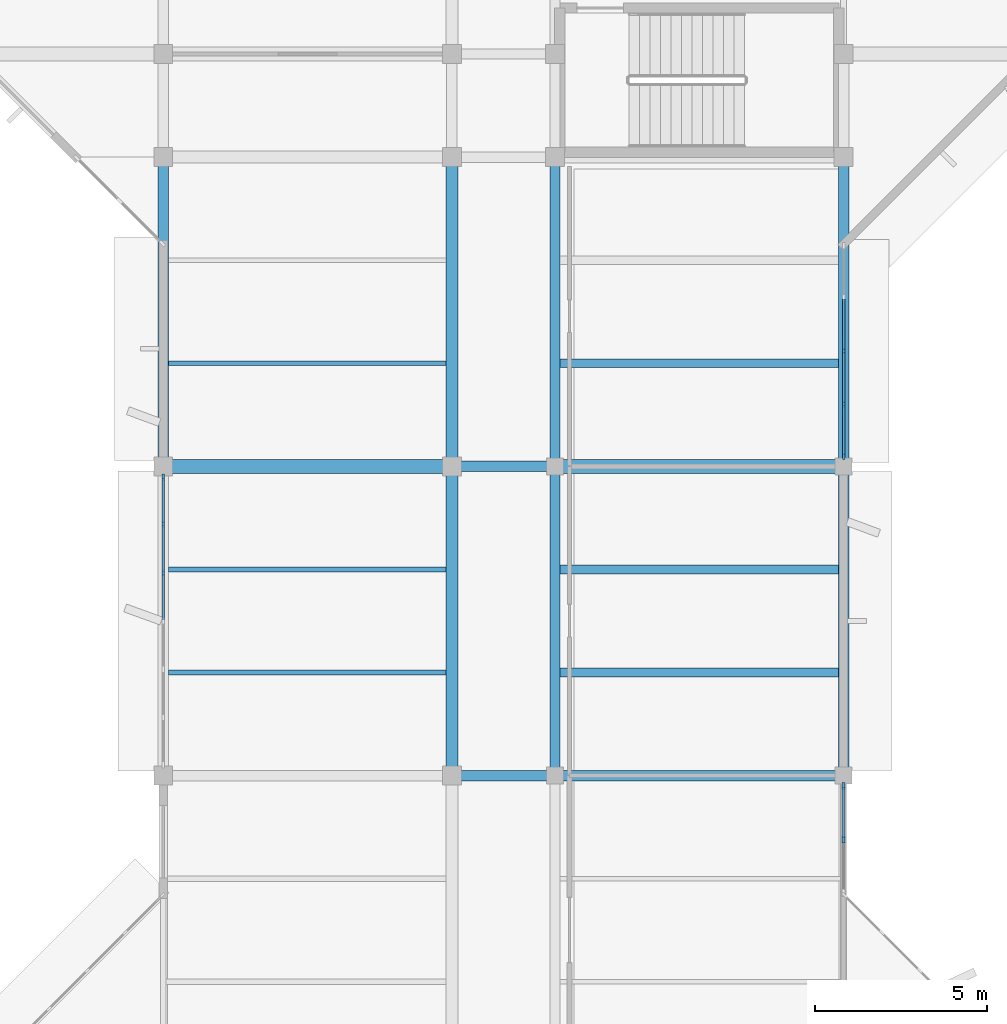
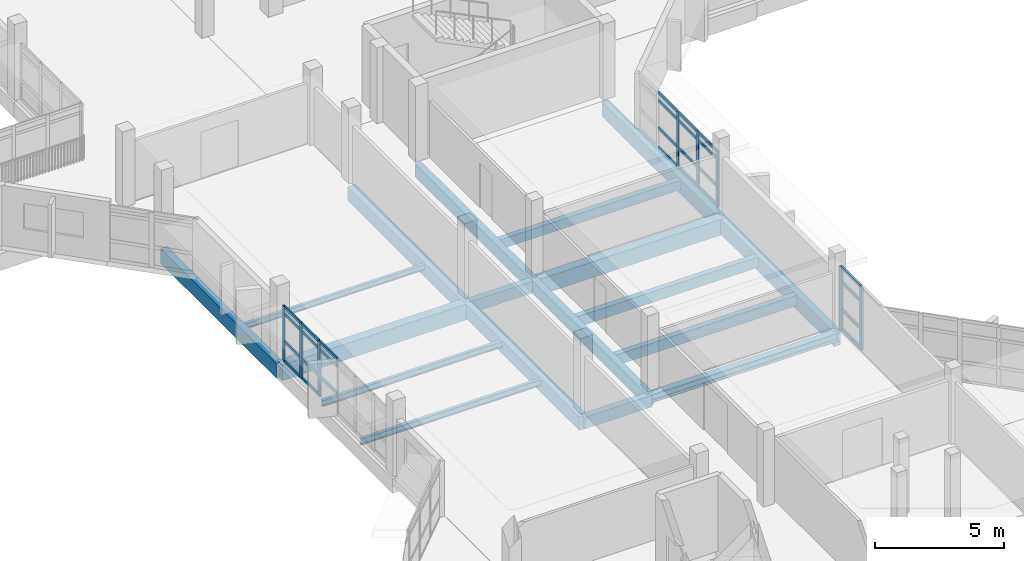
# One storey, part 23 of 92: 35 members, 18 beams, 3 elements without a shape of their own.
"""IFC4 building model written with IfcOpenShell, lengths in metres."""

from ifc_helpers import new_model, si_unit, direction, frame, origin, origin_2d, place, context, subcontext, project, spatial, rectangle, i_section, extrude, material, material_profile, profile_set, type_object, element, aggregate, save


model = new_model("IFC4")

# Units and contexts
model_context = context("Model", 3, precision=1e-05, world=origin(), true_north=direction((0.0, 1.0)))
body_context = subcontext(model_context, "Body", "Model", "MODEL_VIEW")
ifc_project = project(units=[si_unit("LENGTHUNIT", "METRE"), si_unit("AREAUNIT", "SQUARE_METRE"), si_unit("VOLUMEUNIT", "CUBIC_METRE"), si_unit("PLANEANGLEUNIT", "RADIAN"), si_unit("MASSUNIT", "GRAM", prefix="KILO")], contexts=[model_context])

# Site, building, storey
site_placement = place(None, origin())
site = spatial("IfcSite", under=ifc_project, at=site_placement, CompositionType="ELEMENT")
building_placement = place(site_placement, origin())
building = spatial("IfcBuilding", under=site, at=building_placement, Name="Vanh Quang Courtyard School", CompositionType="ELEMENT")
storey_placement = place(building_placement, frame((0.0, 0.0, 7.800048828125)))
storey = spatial("IfcBuildingStorey", under=building, at=storey_placement, Name="L02", CompositionType="ELEMENT", Elevation=7.800048828125)

# Beams
ifc_material_1 = material(Name="Concrete C35/45", Category="concrete")
ifc_material_profile_1 = material_profile(ifc_material_1, rectangle(XDim=0.300048828125, YDim=0.550048828125, at=origin_2d()), Name="RC-BM 300x550")
ifc_profile_set_1 = profile_set([ifc_material_profile_1], Name="Concrete C35/45")
beam_type_1 = type_object("IfcBeamType", Name="BM-RC-300x550", PredefinedType="BEAM", material=ifc_profile_set_1)
for number, where, z_axis, x_axis, name in (
    (1, (74.39990234375, 50.39990234375, -0.574951171875), (1.0, 0.0, 0.0), (0.0, 1.0, 0.0), "Beam B-07 (L02)"),
    (2, (74.39990234375, 59.39990234375, -0.574951171875), (1.0, 0.0, 0.0), (0.0, 1.0, 0.0), "Beam B-07 (L02)"),
):
    element("IfcBeam", number, at=place(storey_placement, frame(where, z_axis=z_axis, x_axis=x_axis)), inside=storey, type_object=beam_type_1, Name=name, PredefinedType="BEAM", context=body_context, shape_type="SweptSolid", body=[
        extrude(rectangle(XDim=0.300048828125, YDim=0.550048828125, at=origin_2d()), origin(), (0.0, 0.0, 1.0), 3.0),
    ])
ifc_material_profile_2 = material_profile(ifc_material_1, rectangle(XDim=0.300048828125, YDim=0.60009765625, at=origin_2d()), Name="RC-BM 300x600")
ifc_profile_set_2 = profile_set([ifc_material_profile_2], Name="Concrete C35/45")
beam_type_2 = type_object("IfcBeamType", Name="BM-RC-300x600", PredefinedType="BEAM", material=ifc_profile_set_2)
for number, where, z_axis, x_axis, name in (
    (3, (77.39990234375, 50.39990234375, -0.580078125), (0.0, 1.0, 0.0), (-1.0, 0.0, 0.0), "Beam B-06 (L02)"),
    (4, (77.39990234375, 59.39990234375, -0.580078125), (0.0, 1.0, 0.0), (-1.0, 0.0, 0.0), "Beam B-06 (L02)"),
):
    element("IfcBeam", number, at=place(storey_placement, frame(where, z_axis=z_axis, x_axis=x_axis)), inside=storey, type_object=beam_type_2, Name=name, PredefinedType="BEAM", context=body_context, shape_type="SweptSolid", body=[
        extrude(rectangle(XDim=0.300048828125, YDim=0.60009765625, at=origin_2d()), origin(), (0.0, 0.0, 1.0), 9.0),
    ])
ifc_material_profile_3 = material_profile(ifc_material_1, rectangle(XDim=0.35009765625, YDim=0.64990234375, at=origin_2d()), Name="RC-BM 350x650")
ifc_profile_set_3 = profile_set([ifc_material_profile_3], Name="Concrete C35/45")
beam_type_3 = type_object("IfcBeamType", Name="BM-RC-350x650", PredefinedType="BEAM", material=ifc_profile_set_3)
for number, where, z_axis, x_axis, name in (
    (5, (74.39990234375, 50.39990234375, -0.625), (0.0, 1.0, 0.0), (-1.0, 0.0, 0.0), "Beam B-05 (L02)"),
    (6, (74.39990234375, 59.39990234375, -0.625), (0.0, 1.0, 0.0), (-1.0, 0.0, 0.0), "Beam B-05 (L02)"),
):
    element("IfcBeam", number, at=place(storey_placement, frame(where, z_axis=z_axis, x_axis=x_axis)), inside=storey, type_object=beam_type_3, Name=name, PredefinedType="BEAM", context=body_context, shape_type="SweptSolid", body=[
        extrude(rectangle(XDim=0.35009765625, YDim=0.64990234375, at=origin_2d()), origin(), (0.0, 0.0, 1.0), 9.0),
    ])
ifc_material_profile_4 = material_profile(ifc_material_1, rectangle(XDim=0.39990234375, YDim=0.75, at=origin_2d()), Name="RC-BM 400x750")
ifc_profile_set_4 = profile_set([ifc_material_profile_4], Name="Concrete C35/45")
beam_type_4 = type_object("IfcBeamType", Name="BM-RC-400x750", PredefinedType="BEAM", material=ifc_profile_set_4)
beam_1_placement = place(storey_placement, frame((66.0, 59.39990234375, -0.675048828125), z_axis=(1.0, 0.0, 0.0), x_axis=(0.0, 1.0, 0.0)))
element("IfcBeam", 7, at=beam_1_placement, inside=storey, type_object=beam_type_4, Name="Beam B-03 (L02)", PredefinedType="BEAM", context=body_context, shape_type="SweptSolid", body=[
    extrude(rectangle(XDim=0.39990234375, YDim=0.75, at=origin_2d()), origin(), (0.0, 0.0, 1.0), 8.39990234375),
])
beam_2_placement = place(storey_placement, frame((77.39990234375, 59.39990234375, -0.655029296875), z_axis=(1.0, 0.0, 0.0), x_axis=(0.0, 1.0, 0.0)))
element("IfcBeam", 8, at=beam_2_placement, inside=storey, type_object=beam_type_4, Name="Beam B-03 (L02)", PredefinedType="BEAM", context=body_context, shape_type="SweptSolid", body=[
    extrude(rectangle(XDim=0.39990234375, YDim=0.75, at=origin_2d()), origin(), (0.0, 0.0, 1.0), 8.400146484375),
])
ifc_material_profile_5 = material_profile(ifc_material_1, rectangle(XDim=0.300048828125, YDim=0.699951171875, at=origin_2d()), Name="RC-SP 300x700")
ifc_profile_set_5 = profile_set([ifc_material_profile_5], Name="Concrete C35/45")
beam_type_5 = type_object("IfcBeamType", Name="BM-SP-300x700", PredefinedType="SPANDREL", material=ifc_profile_set_5)
for number, where, z_axis, x_axis, name in (
    (9, (66.0, 59.39990234375, -0.650146484375), (0.0, 1.0, 0.0), (-1.0, 0.0, 0.0), "Beam BS-01 (L02)"),
    (10, (85.800048828125, 50.39990234375, -0.630126953125), (0.0, 1.0, 0.0), (-1.0, 0.0, 0.0), "Beam BS-01 (L02)"),
    (11, (85.800048828125, 59.39990234375, -0.630126953125), (0.0, 1.0, 0.0), (-1.0, 0.0, 0.0), "Beam BS-01 (L02)"),
):
    element("IfcBeam", number, at=place(storey_placement, frame(where, z_axis=z_axis, x_axis=x_axis)), inside=storey, type_object=beam_type_5, Name=name, PredefinedType="SPANDREL", context=body_context, shape_type="SweptSolid", body=[
        extrude(rectangle(XDim=0.300048828125, YDim=0.699951171875, at=origin_2d()), origin(), (0.0, 0.0, 1.0), 9.0),
    ])
ifc_material_2 = material(Name="Structural steel EN 10025-2 S355J2", Category="steel")
ifc_material_profile_6 = material_profile(ifc_material_2, i_section(OverallWidth=0.300048828125, OverallDepth=0.389892578125, WebThickness=0.010986328125, FlangeThickness=0.01904296875, FilletRadius=0.027099609375, at=origin_2d()), Name="HEA 400")
ifc_profile_set_6 = profile_set([ifc_material_profile_6], Name="Structural steel EN 10025-2 S355J2")
beam_type_6 = type_object("IfcBeamType", Name="BM-STL-HEA400", PredefinedType="BEAM", material=ifc_profile_set_6)
beam_3_placement = place(storey_placement, frame((77.39990234375, 50.39990234375, -0.47509765625), z_axis=(1.0, 0.0, 0.0), x_axis=(0.0, 1.0, 0.0)))
element("IfcBeam", 12, at=beam_3_placement, inside=storey, type_object=beam_type_6, Name="Beam SB-08 (L02)", PredefinedType="BEAM", context=body_context, shape_type="SweptSolid", body=[
    extrude(i_section(OverallWidth=0.300048828125, OverallDepth=0.389892578125, WebThickness=0.010986328125, FlangeThickness=0.01904296875, FilletRadius=0.027099609375, at=origin_2d()), origin(), (0.0, 0.0, 1.0), 8.400146484375),
])

# Curtain wall, members
ifc_material_3 = material(Name="Thermally broken aluminium unitised curtain wall", Category="aluminium")
curtain_wall_type_1 = type_object("IfcCurtainWallType", Name="CW-SYS-48", PredefinedType="NOTDEFINED", material=ifc_material_3)
curtain_wall_1_placement = place(storey_placement, origin())
curtain_wall_1 = element("IfcCurtainWall", 13, at=curtain_wall_1_placement, inside=storey, type_object=curtain_wall_type_1, Name="Curtain Wall CW-48 (L02)", PredefinedType="NOTDEFINED")
ifc_material_4 = material(Name="Anodised aluminium 6063-T6", Category="aluminium")
ifc_material_profile_7 = material_profile(ifc_material_4, rectangle(XDim=0.070068359375, YDim=0.179931640625, at=origin_2d()), Name="ALU-MUL 70x180")
ifc_profile_set_7 = profile_set([ifc_material_profile_7], Name="Anodised aluminium 6063-T6")
member_type_1 = type_object("IfcMemberType", Name="CW-MUL-70x180", PredefinedType="MULLION", material=ifc_profile_set_7)
member_1_placement = place(storey_placement, frame((66.0, 56.3056640625, 0.0), z_axis=(0.0, 0.0, 1.0), x_axis=(-1.0, 0.0, 0.0)))
member_1 = element("IfcMember", 14, at=member_1_placement, type_object=member_type_1, Name="CW-48 mullion 5", PredefinedType="MULLION", context=body_context, shape_type="SweptSolid", body=[
    extrude(rectangle(XDim=0.070068359375, YDim=0.179931640625, at=origin_2d()), origin(), (0.0, 0.0, 1.0), 2.599853515625),
])
member_2_placement = place(storey_placement, frame((66.0, 57.71142578125, 0.0), z_axis=(0.0, 0.0, 1.0), x_axis=(-1.0, 0.0, 0.0)))
member_2 = element("IfcMember", 15, at=member_2_placement, type_object=member_type_1, Name="CW-48 mullion 6", PredefinedType="MULLION", context=body_context, shape_type="SweptSolid", body=[
    extrude(rectangle(XDim=0.070068359375, YDim=0.179931640625, at=origin_2d()), origin(), (0.0, 0.0, 1.0), 2.599853515625),
])
member_3_placement = place(storey_placement, frame((66.0, 59.08203125, 0.0), z_axis=(0.0, 0.0, 1.0), x_axis=(-1.0, 0.0, 0.0)))
member_3 = element("IfcMember", 16, at=member_3_placement, type_object=member_type_1, Name="CW-48 mullion 7", PredefinedType="MULLION", context=body_context, shape_type="SweptSolid", body=[
    extrude(rectangle(XDim=0.070068359375, YDim=0.179931640625, at=origin_2d()), origin(), (0.0, 0.0, 1.0), 2.599853515625),
])

curtain_wall_type_2 = type_object("IfcCurtainWallType", Name="CW-SYS-44", PredefinedType="NOTDEFINED", material=ifc_material_3)
curtain_wall_2_placement = place(storey_placement, origin())
curtain_wall_2 = element("IfcCurtainWall", 17, at=curtain_wall_2_placement, inside=storey, type_object=curtain_wall_type_2, Name="Curtain Wall CW-44 (L02)", PredefinedType="NOTDEFINED")
member_4_placement = place(storey_placement, frame((85.800048828125, 62.757080078125, 0.0), z_axis=(0.0, 0.0, 1.0), x_axis=(1.0, 0.0, 0.0)))
member_4 = element("IfcMember", 18, at=member_4_placement, type_object=member_type_1, Name="CW-44 mullion 3", PredefinedType="MULLION", context=body_context, shape_type="SweptSolid", body=[
    extrude(rectangle(XDim=0.070068359375, YDim=0.179931640625, at=origin_2d()), origin(), (0.0, 0.0, 1.0), 2.639892578125),
])
member_5_placement = place(storey_placement, frame((85.800048828125, 61.20751953125, 0.0), z_axis=(0.0, 0.0, 1.0), x_axis=(1.0, 0.0, 0.0)))
member_5 = element("IfcMember", 19, at=member_5_placement, type_object=member_type_1, Name="CW-44 mullion 4", PredefinedType="MULLION", context=body_context, shape_type="SweptSolid", body=[
    extrude(rectangle(XDim=0.070068359375, YDim=0.179931640625, at=origin_2d()), origin(), (0.0, 0.0, 1.0), 2.639892578125),
])
member_6_placement = place(storey_placement, frame((85.800048828125, 59.693115234375, 0.0), z_axis=(0.0, 0.0, 1.0), x_axis=(1.0, 0.0, 0.0)))
member_6 = element("IfcMember", 20, at=member_6_placement, type_object=member_type_1, Name="CW-44 mullion 5", PredefinedType="MULLION", context=body_context, shape_type="SweptSolid", body=[
    extrude(rectangle(XDim=0.070068359375, YDim=0.179931640625, at=origin_2d()), origin(), (0.0, 0.0, 1.0), 2.639892578125),
])

curtain_wall_type_3 = type_object("IfcCurtainWallType", Name="CW-SYS-53", PredefinedType="NOTDEFINED", material=ifc_material_3)
curtain_wall_3_placement = place(storey_placement, origin())
curtain_wall_3 = element("IfcCurtainWall", 21, at=curtain_wall_3_placement, inside=storey, type_object=curtain_wall_type_3, Name="Curtain Wall CW-53 (L02)", PredefinedType="NOTDEFINED")
ifc_material_profile_8 = material_profile(ifc_material_4, rectangle(XDim=0.080078125, YDim=0.199951171875, at=origin_2d()), Name="ALU-MUL 80x200")
ifc_profile_set_8 = profile_set([ifc_material_profile_8], Name="Anodised aluminium 6063-T6")
member_type_2 = type_object("IfcMemberType", Name="CW-MUL-80x200", PredefinedType="MULLION", material=ifc_profile_set_8)
member_7_placement = place(storey_placement, frame((85.800048828125, 50.10205078125, 0.0), z_axis=(0.0, 0.0, 1.0), x_axis=(1.0, 0.0, 0.0)))
member_7 = element("IfcMember", 22, at=member_7_placement, type_object=member_type_2, Name="CW-53 mullion 1", PredefinedType="MULLION", context=body_context, shape_type="SweptSolid", body=[
    extrude(rectangle(XDim=0.080078125, YDim=0.199951171875, at=origin_2d()), origin(), (0.0, 0.0, 1.0), 2.97998046875),
])
member_8_placement = place(storey_placement, frame((85.800048828125, 48.54296875, 0.0), z_axis=(0.0, 0.0, 1.0), x_axis=(1.0, 0.0, 0.0)))
member_8 = element("IfcMember", 23, at=member_8_placement, type_object=member_type_2, Name="CW-53 mullion 2", PredefinedType="MULLION", context=body_context, shape_type="SweptSolid", body=[
    extrude(rectangle(XDim=0.080078125, YDim=0.199951171875, at=origin_2d()), origin(), (0.0, 0.0, 1.0), 2.97998046875),
])

# Member
ifc_material_profile_9 = material_profile(ifc_material_4, rectangle(XDim=0.070068359375, YDim=0.139892578125, at=origin_2d()), Name="ALU-TRN 70x140")
ifc_profile_set_9 = profile_set([ifc_material_profile_9], Name="Anodised aluminium 6063-T6")
member_type_3 = type_object("IfcMemberType", Name="CW-TRN-70x140", PredefinedType="USERDEFINED", material=ifc_profile_set_9)
member_9_placement = place(storey_placement, frame((66.0, 54.93505859375, 0.949951171875), z_axis=(0.0, 1.0, 0.0), x_axis=(-1.0, 0.0, 0.0)))
member_9 = element("IfcMember", 24, at=member_9_placement, type_object=member_type_3, Name="CW-48 transom 4.2", ObjectType="TRANSOM", PredefinedType="USERDEFINED", context=body_context, shape_type="SweptSolid", body=[
    extrude(rectangle(XDim=0.070068359375, YDim=0.139892578125, at=origin_2d()), origin(), (0.0, 0.0, 1.0), 1.335693359375),
])

member_10_placement = place(storey_placement, frame((66.0, 54.93505859375, 2.25), z_axis=(0.0, 1.0, 0.0), x_axis=(-1.0, 0.0, 0.0)))
member_10 = element("IfcMember", 25, at=member_10_placement, type_object=member_type_3, Name="CW-48 transom 4.3", ObjectType="TRANSOM", PredefinedType="USERDEFINED", context=body_context, shape_type="SweptSolid", body=[
    extrude(rectangle(XDim=0.070068359375, YDim=0.139892578125, at=origin_2d()), origin(), (0.0, 0.0, 1.0), 1.335693359375),
])

member_11_placement = place(storey_placement, frame((66.0, 54.93505859375, 2.56494140625), z_axis=(0.0, 1.0, 0.0), x_axis=(-1.0, 0.0, 0.0)))
member_11 = element("IfcMember", 26, at=member_11_placement, type_object=member_type_3, Name="CW-48 transom 4.4", ObjectType="TRANSOM", PredefinedType="USERDEFINED", context=body_context, shape_type="SweptSolid", body=[
    extrude(rectangle(XDim=0.070068359375, YDim=0.139892578125, at=origin_2d()), origin(), (0.0, 0.0, 1.0), 1.335693359375),
])

member_12_placement = place(storey_placement, frame((66.0, 56.340576171875, 0.034912109375), z_axis=(0.0, 1.0, 0.0), x_axis=(-1.0, 0.0, 0.0)))
member_12 = element("IfcMember", 27, at=member_12_placement, type_object=member_type_3, Name="CW-48 transom 5.1", ObjectType="TRANSOM", PredefinedType="USERDEFINED", context=body_context, shape_type="SweptSolid", body=[
    extrude(rectangle(XDim=0.070068359375, YDim=0.139892578125, at=origin_2d()), origin(), (0.0, 0.0, 1.0), 1.335693359375),
])

member_13_placement = place(storey_placement, frame((66.0, 56.340576171875, 0.949951171875), z_axis=(0.0, 1.0, 0.0), x_axis=(-1.0, 0.0, 0.0)))
member_13 = element("IfcMember", 28, at=member_13_placement, type_object=member_type_3, Name="CW-48 transom 5.2", ObjectType="TRANSOM", PredefinedType="USERDEFINED", context=body_context, shape_type="SweptSolid", body=[
    extrude(rectangle(XDim=0.070068359375, YDim=0.139892578125, at=origin_2d()), origin(), (0.0, 0.0, 1.0), 1.335693359375),
])

member_14_placement = place(storey_placement, frame((66.0, 56.340576171875, 2.25), z_axis=(0.0, 1.0, 0.0), x_axis=(-1.0, 0.0, 0.0)))
member_14 = element("IfcMember", 29, at=member_14_placement, type_object=member_type_3, Name="CW-48 transom 5.3", ObjectType="TRANSOM", PredefinedType="USERDEFINED", context=body_context, shape_type="SweptSolid", body=[
    extrude(rectangle(XDim=0.070068359375, YDim=0.139892578125, at=origin_2d()), origin(), (0.0, 0.0, 1.0), 1.335693359375),
])

member_15_placement = place(storey_placement, frame((66.0, 56.340576171875, 2.56494140625), z_axis=(0.0, 1.0, 0.0), x_axis=(-1.0, 0.0, 0.0)))
member_15 = element("IfcMember", 30, at=member_15_placement, type_object=member_type_3, Name="CW-48 transom 5.4", ObjectType="TRANSOM", PredefinedType="USERDEFINED", context=body_context, shape_type="SweptSolid", body=[
    extrude(rectangle(XDim=0.070068359375, YDim=0.139892578125, at=origin_2d()), origin(), (0.0, 0.0, 1.0), 1.335693359375),
])

member_16_placement = place(storey_placement, frame((66.0, 57.746337890625, 0.034912109375), z_axis=(0.0, 1.0, 0.0), x_axis=(-1.0, 0.0, 0.0)))
member_16 = element("IfcMember", 31, at=member_16_placement, type_object=member_type_3, Name="CW-48 transom 6.1", ObjectType="TRANSOM", PredefinedType="USERDEFINED", context=body_context, shape_type="SweptSolid", body=[
    extrude(rectangle(XDim=0.070068359375, YDim=0.139892578125, at=origin_2d()), origin(), (0.0, 0.0, 1.0), 1.30078125),
])

member_17_placement = place(storey_placement, frame((66.0, 57.746337890625, 0.949951171875), z_axis=(0.0, 1.0, 0.0), x_axis=(-1.0, 0.0, 0.0)))
member_17 = element("IfcMember", 32, at=member_17_placement, type_object=member_type_3, Name="CW-48 transom 6.2", ObjectType="TRANSOM", PredefinedType="USERDEFINED", context=body_context, shape_type="SweptSolid", body=[
    extrude(rectangle(XDim=0.070068359375, YDim=0.139892578125, at=origin_2d()), origin(), (0.0, 0.0, 1.0), 1.30078125),
])

member_18_placement = place(storey_placement, frame((66.0, 57.746337890625, 2.25), z_axis=(0.0, 1.0, 0.0), x_axis=(-1.0, 0.0, 0.0)))
member_18 = element("IfcMember", 33, at=member_18_placement, type_object=member_type_3, Name="CW-48 transom 6.3", ObjectType="TRANSOM", PredefinedType="USERDEFINED", context=body_context, shape_type="SweptSolid", body=[
    extrude(rectangle(XDim=0.070068359375, YDim=0.139892578125, at=origin_2d()), origin(), (0.0, 0.0, 1.0), 1.30078125),
])

member_19_placement = place(storey_placement, frame((66.0, 57.746337890625, 2.56494140625), z_axis=(0.0, 1.0, 0.0), x_axis=(-1.0, 0.0, 0.0)))
member_19 = element("IfcMember", 34, at=member_19_placement, type_object=member_type_3, Name="CW-48 transom 6.4", ObjectType="TRANSOM", PredefinedType="USERDEFINED", context=body_context, shape_type="SweptSolid", body=[
    extrude(rectangle(XDim=0.070068359375, YDim=0.139892578125, at=origin_2d()), origin(), (0.0, 0.0, 1.0), 1.30078125),
])

aggregate(curtain_wall_1, [member_1, member_2, member_3, member_9, member_10, member_11, member_12, member_13, member_14, member_15, member_16, member_17, member_18, member_19])

member_20_placement = place(storey_placement, frame((85.800048828125, 64.271484375, 0.034912109375), z_axis=(0.0, -1.0, 0.0), x_axis=(1.0, 0.0, 0.0)))
member_20 = element("IfcMember", 35, at=member_20_placement, type_object=member_type_3, Name="CW-44 transom 2.1", ObjectType="TRANSOM", PredefinedType="USERDEFINED", context=body_context, shape_type="SweptSolid", body=[
    extrude(rectangle(XDim=0.070068359375, YDim=0.139892578125, at=origin_2d()), origin(), (0.0, 0.0, 1.0), 1.4794921875),
])

member_21_placement = place(storey_placement, frame((85.800048828125, 64.271484375, 0.949951171875), z_axis=(0.0, -1.0, 0.0), x_axis=(1.0, 0.0, 0.0)))
member_21 = element("IfcMember", 36, at=member_21_placement, type_object=member_type_3, Name="CW-44 transom 2.2", ObjectType="TRANSOM", PredefinedType="USERDEFINED", context=body_context, shape_type="SweptSolid", body=[
    extrude(rectangle(XDim=0.070068359375, YDim=0.139892578125, at=origin_2d()), origin(), (0.0, 0.0, 1.0), 1.4794921875),
])

member_22_placement = place(storey_placement, frame((85.800048828125, 64.271484375, 2.25), z_axis=(0.0, -1.0, 0.0), x_axis=(1.0, 0.0, 0.0)))
member_22 = element("IfcMember", 37, at=member_22_placement, type_object=member_type_3, Name="CW-44 transom 2.3", ObjectType="TRANSOM", PredefinedType="USERDEFINED", context=body_context, shape_type="SweptSolid", body=[
    extrude(rectangle(XDim=0.070068359375, YDim=0.139892578125, at=origin_2d()), origin(), (0.0, 0.0, 1.0), 1.4794921875),
])

member_23_placement = place(storey_placement, frame((85.800048828125, 64.271484375, 2.60498046875), z_axis=(0.0, -1.0, 0.0), x_axis=(1.0, 0.0, 0.0)))
member_23 = element("IfcMember", 38, at=member_23_placement, type_object=member_type_3, Name="CW-44 transom 2.4", ObjectType="TRANSOM", PredefinedType="USERDEFINED", context=body_context, shape_type="SweptSolid", body=[
    extrude(rectangle(XDim=0.070068359375, YDim=0.139892578125, at=origin_2d()), origin(), (0.0, 0.0, 1.0), 1.4794921875),
])

member_24_placement = place(storey_placement, frame((85.800048828125, 62.721923828125, 0.034912109375), z_axis=(0.0, -1.0, 0.0), x_axis=(1.0, 0.0, 0.0)))
member_24 = element("IfcMember", 39, at=member_24_placement, type_object=member_type_3, Name="CW-44 transom 3.1", ObjectType="TRANSOM", PredefinedType="USERDEFINED", context=body_context, shape_type="SweptSolid", body=[
    extrude(rectangle(XDim=0.070068359375, YDim=0.139892578125, at=origin_2d()), origin(), (0.0, 0.0, 1.0), 1.4794921875),
])

member_25_placement = place(storey_placement, frame((85.800048828125, 62.721923828125, 0.949951171875), z_axis=(0.0, -1.0, 0.0), x_axis=(1.0, 0.0, 0.0)))
member_25 = element("IfcMember", 40, at=member_25_placement, type_object=member_type_3, Name="CW-44 transom 3.2", ObjectType="TRANSOM", PredefinedType="USERDEFINED", context=body_context, shape_type="SweptSolid", body=[
    extrude(rectangle(XDim=0.070068359375, YDim=0.139892578125, at=origin_2d()), origin(), (0.0, 0.0, 1.0), 1.4794921875),
])

member_26_placement = place(storey_placement, frame((85.800048828125, 62.721923828125, 2.25), z_axis=(0.0, -1.0, 0.0), x_axis=(1.0, 0.0, 0.0)))
member_26 = element("IfcMember", 41, at=member_26_placement, type_object=member_type_3, Name="CW-44 transom 3.3", ObjectType="TRANSOM", PredefinedType="USERDEFINED", context=body_context, shape_type="SweptSolid", body=[
    extrude(rectangle(XDim=0.070068359375, YDim=0.139892578125, at=origin_2d()), origin(), (0.0, 0.0, 1.0), 1.4794921875),
])

member_27_placement = place(storey_placement, frame((85.800048828125, 62.721923828125, 2.60498046875), z_axis=(0.0, -1.0, 0.0), x_axis=(1.0, 0.0, 0.0)))
member_27 = element("IfcMember", 42, at=member_27_placement, type_object=member_type_3, Name="CW-44 transom 3.4", ObjectType="TRANSOM", PredefinedType="USERDEFINED", context=body_context, shape_type="SweptSolid", body=[
    extrude(rectangle(XDim=0.070068359375, YDim=0.139892578125, at=origin_2d()), origin(), (0.0, 0.0, 1.0), 1.4794921875),
])

member_28_placement = place(storey_placement, frame((85.800048828125, 61.172607421875, 0.034912109375), z_axis=(0.0, -1.0, 0.0), x_axis=(1.0, 0.0, 0.0)))
member_28 = element("IfcMember", 43, at=member_28_placement, type_object=member_type_3, Name="CW-44 transom 4.1", ObjectType="TRANSOM", PredefinedType="USERDEFINED", context=body_context, shape_type="SweptSolid", body=[
    extrude(rectangle(XDim=0.070068359375, YDim=0.139892578125, at=origin_2d()), origin(), (0.0, 0.0, 1.0), 1.444580078125),
])

member_29_placement = place(storey_placement, frame((85.800048828125, 61.172607421875, 0.949951171875), z_axis=(0.0, -1.0, 0.0), x_axis=(1.0, 0.0, 0.0)))
member_29 = element("IfcMember", 44, at=member_29_placement, type_object=member_type_3, Name="CW-44 transom 4.2", ObjectType="TRANSOM", PredefinedType="USERDEFINED", context=body_context, shape_type="SweptSolid", body=[
    extrude(rectangle(XDim=0.070068359375, YDim=0.139892578125, at=origin_2d()), origin(), (0.0, 0.0, 1.0), 1.444580078125),
])

member_30_placement = place(storey_placement, frame((85.800048828125, 61.172607421875, 2.25), z_axis=(0.0, -1.0, 0.0), x_axis=(1.0, 0.0, 0.0)))
member_30 = element("IfcMember", 45, at=member_30_placement, type_object=member_type_3, Name="CW-44 transom 4.3", ObjectType="TRANSOM", PredefinedType="USERDEFINED", context=body_context, shape_type="SweptSolid", body=[
    extrude(rectangle(XDim=0.070068359375, YDim=0.139892578125, at=origin_2d()), origin(), (0.0, 0.0, 1.0), 1.444580078125),
])

member_31_placement = place(storey_placement, frame((85.800048828125, 61.172607421875, 2.60498046875), z_axis=(0.0, -1.0, 0.0), x_axis=(1.0, 0.0, 0.0)))
member_31 = element("IfcMember", 46, at=member_31_placement, type_object=member_type_3, Name="CW-44 transom 4.4", ObjectType="TRANSOM", PredefinedType="USERDEFINED", context=body_context, shape_type="SweptSolid", body=[
    extrude(rectangle(XDim=0.070068359375, YDim=0.139892578125, at=origin_2d()), origin(), (0.0, 0.0, 1.0), 1.444580078125),
])

aggregate(curtain_wall_2, [member_4, member_5, member_6, member_20, member_21, member_22, member_23, member_24, member_25, member_26, member_27, member_28, member_29, member_30, member_31])

ifc_material_profile_10 = material_profile(ifc_material_4, rectangle(XDim=0.080078125, YDim=0.14990234375, at=origin_2d()), Name="ALU-TRN 80x150")
ifc_profile_set_10 = profile_set([ifc_material_profile_10], Name="Anodised aluminium 6063-T6")
member_type_4 = type_object("IfcMemberType", Name="CW-TRN-80x150", PredefinedType="USERDEFINED", material=ifc_profile_set_10)
member_32_placement = place(storey_placement, frame((85.800048828125, 50.06201171875, 0.0400390625), z_axis=(0.0, -1.0, 0.0), x_axis=(1.0, 0.0, 0.0)))
member_32 = element("IfcMember", 47, at=member_32_placement, type_object=member_type_4, Name="CW-53 transom 1.1", ObjectType="TRANSOM", PredefinedType="USERDEFINED", context=body_context, shape_type="SweptSolid", body=[
    extrude(rectangle(XDim=0.080078125, YDim=0.14990234375, at=origin_2d()), origin(), (0.0, 0.0, 1.0), 1.47900390625),
])

member_33_placement = place(storey_placement, frame((85.800048828125, 50.06201171875, 0.949951171875), z_axis=(0.0, -1.0, 0.0), x_axis=(1.0, 0.0, 0.0)))
member_33 = element("IfcMember", 48, at=member_33_placement, type_object=member_type_4, Name="CW-53 transom 1.2", ObjectType="TRANSOM", PredefinedType="USERDEFINED", context=body_context, shape_type="SweptSolid", body=[
    extrude(rectangle(XDim=0.080078125, YDim=0.14990234375, at=origin_2d()), origin(), (0.0, 0.0, 1.0), 1.47900390625),
])

member_34_placement = place(storey_placement, frame((85.800048828125, 50.06201171875, 2.25), z_axis=(0.0, -1.0, 0.0), x_axis=(1.0, 0.0, 0.0)))
member_34 = element("IfcMember", 49, at=member_34_placement, type_object=member_type_4, Name="CW-53 transom 1.3", ObjectType="TRANSOM", PredefinedType="USERDEFINED", context=body_context, shape_type="SweptSolid", body=[
    extrude(rectangle(XDim=0.080078125, YDim=0.14990234375, at=origin_2d()), origin(), (0.0, 0.0, 1.0), 1.47900390625),
])

member_35_placement = place(storey_placement, frame((85.800048828125, 50.06201171875, 2.93994140625), z_axis=(0.0, -1.0, 0.0), x_axis=(1.0, 0.0, 0.0)))
member_35 = element("IfcMember", 50, at=member_35_placement, type_object=member_type_4, Name="CW-53 transom 1.4", ObjectType="TRANSOM", PredefinedType="USERDEFINED", context=body_context, shape_type="SweptSolid", body=[
    extrude(rectangle(XDim=0.080078125, YDim=0.14990234375, at=origin_2d()), origin(), (0.0, 0.0, 1.0), 1.47900390625),
])

aggregate(curtain_wall_3, [member_7, member_8, member_32, member_33, member_34, member_35])

# Beams
ifc_material_5 = material(Name="Concrete C30/37", Category="concrete")
ifc_material_profile_11 = material_profile(ifc_material_5, rectangle(XDim=0.25, YDim=0.449951171875, at=origin_2d()), Name="RC-JST 250x450")
ifc_profile_set_11 = profile_set([ifc_material_profile_11], Name="Concrete C30/37")
beam_type_7 = type_object("IfcBeamType", Name="JST-RC-250x450", PredefinedType="JOIST", material=ifc_profile_set_11)
beam_4_placement = place(storey_placement, frame((77.550048828125, 62.39990234375, -0.505126953125), z_axis=(1.0, 0.0, 0.0), x_axis=(0.0, 1.0, 0.0)))
element("IfcBeam", 51, at=beam_4_placement, inside=storey, type_object=beam_type_7, Name="Beam BJ-02 (L02)", PredefinedType="JOIST", context=body_context, shape_type="SweptSolid", body=[
    extrude(rectangle(XDim=0.25, YDim=0.449951171875, at=origin_2d()), origin(), (0.0, 0.0, 1.0), 8.099853515625),
])
ifc_material_profile_12 = material_profile(ifc_material_5, rectangle(XDim=0.25, YDim=0.5, at=origin_2d()), Name="RC-JST 250x500")
ifc_profile_set_12 = profile_set([ifc_material_profile_12], Name="Concrete C30/37")
beam_type_8 = type_object("IfcBeamType", Name="JST-RC-250x500", PredefinedType="JOIST", material=ifc_profile_set_12)
for number, where, z_axis, x_axis, name in (
    (52, (77.550048828125, 53.39990234375, -0.530029296875), (1.0, 0.0, 0.0), (0.0, 1.0, 0.0), "Beam BJ-01 (L02)"),
    (53, (77.550048828125, 56.39990234375, -0.530029296875), (1.0, 0.0, 0.0), (0.0, 1.0, 0.0), "Beam BJ-01 (L02)"),
):
    element("IfcBeam", number, at=place(storey_placement, frame(where, z_axis=z_axis, x_axis=x_axis)), inside=storey, type_object=beam_type_8, Name=name, PredefinedType="JOIST", context=body_context, shape_type="SweptSolid", body=[
        extrude(rectangle(XDim=0.25, YDim=0.5, at=origin_2d()), origin(), (0.0, 0.0, 1.0), 8.099853515625),
    ])
ifc_material_profile_13 = material_profile(ifc_material_2, i_section(OverallWidth=0.135009765625, OverallDepth=0.27001953125, WebThickness=0.006591796875, FlangeThickness=0.01025390625, FilletRadius=0.014892578125, at=origin_2d()), Name="IPE 270")
ifc_profile_set_13 = profile_set([ifc_material_profile_13], Name="Structural steel EN 10025-2 S355J2")
beam_type_9 = type_object("IfcBeamType", Name="JST-STL-IPE270", PredefinedType="JOIST", material=ifc_profile_set_13)
beam_5_placement = place(storey_placement, frame((66.14990234375, 62.39990234375, -0.43505859375), z_axis=(1.0, 0.0, 0.0), x_axis=(0.0, 1.0, 0.0)))
element("IfcBeam", 54, at=beam_5_placement, inside=storey, type_object=beam_type_9, Name="Beam SJ-03 (L02)", PredefinedType="JOIST", context=body_context, shape_type="SweptSolid", body=[
    extrude(i_section(OverallWidth=0.135009765625, OverallDepth=0.27001953125, WebThickness=0.006591796875, FlangeThickness=0.01025390625, FilletRadius=0.014892578125, at=origin_2d()), origin(), (0.0, 0.0, 1.0), 8.0751953125),
])
ifc_material_profile_14 = material_profile(ifc_material_2, i_section(OverallWidth=0.14990234375, OverallDepth=0.300048828125, WebThickness=0.007080078125, FlangeThickness=0.0107421875, FilletRadius=0.014892578125, at=origin_2d()), Name="IPE 300")
ifc_profile_set_14 = profile_set([ifc_material_profile_14], Name="Structural steel EN 10025-2 S355J2")
beam_type_10 = type_object("IfcBeamType", Name="JST-STL-IPE300", PredefinedType="JOIST", material=ifc_profile_set_14)
for number, where, z_axis, x_axis, name in (
    (55, (66.14990234375, 53.39990234375, -0.449951171875), (1.0, 0.0, 0.0), (0.0, 1.0, 0.0), "Beam SJ-02 (L02)"),
    (56, (66.14990234375, 56.39990234375, -0.449951171875), (1.0, 0.0, 0.0), (0.0, 1.0, 0.0), "Beam SJ-02 (L02)"),
):
    element("IfcBeam", number, at=place(storey_placement, frame(where, z_axis=z_axis, x_axis=x_axis)), inside=storey, type_object=beam_type_10, Name=name, PredefinedType="JOIST", context=body_context, shape_type="SweptSolid", body=[
        extrude(i_section(OverallWidth=0.14990234375, OverallDepth=0.300048828125, WebThickness=0.007080078125, FlangeThickness=0.0107421875, FilletRadius=0.014892578125, at=origin_2d()), origin(), (0.0, 0.0, 1.0), 8.0751953125),
    ])

save(model, "model.ifc")
